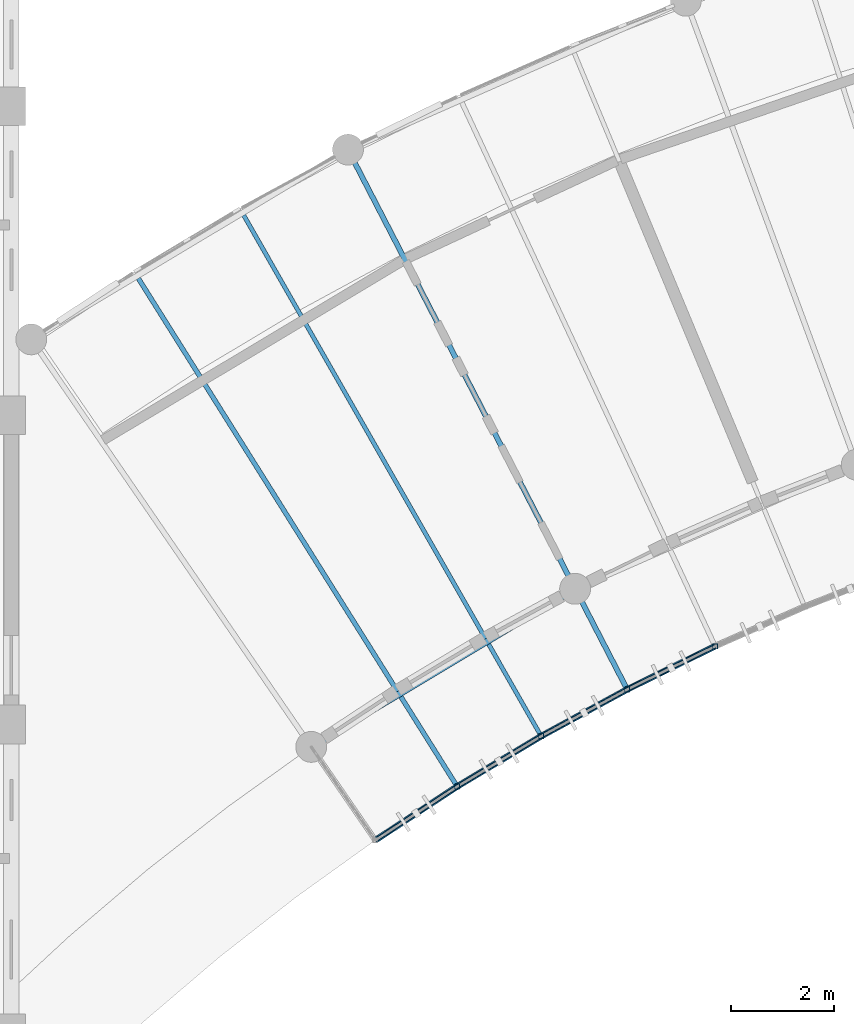
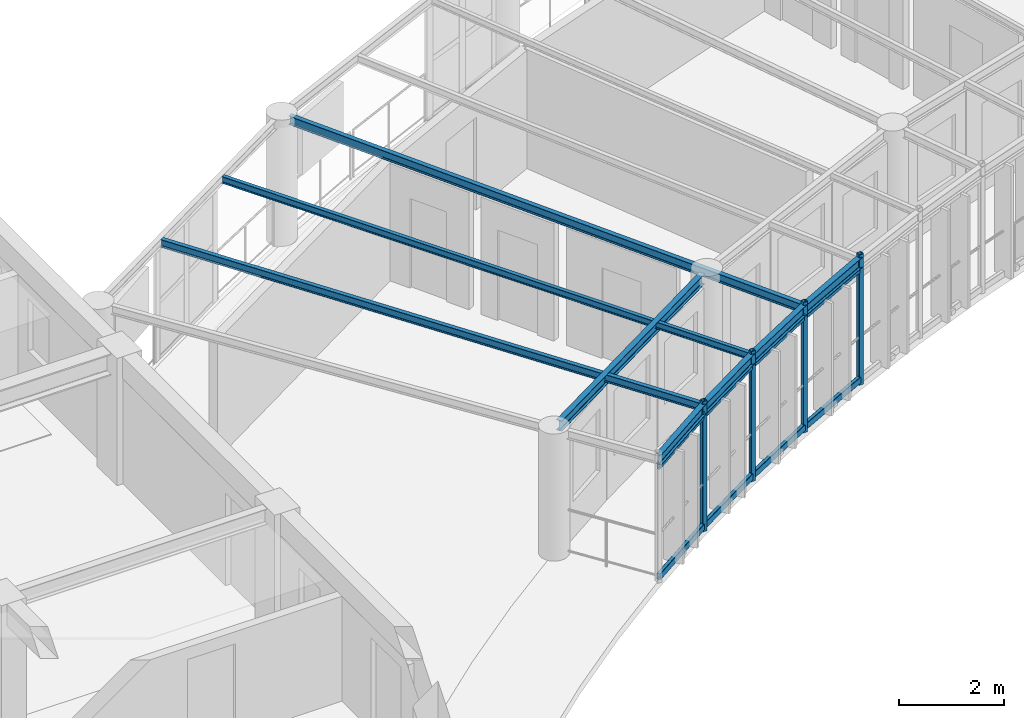
# One storey, part 27 of 100: 12 members, 8 beams.
"""IFC4 building model written with IfcOpenShell, lengths in metres."""

from ifc_helpers import new_model, si_unit, direction, frame, origin, origin_2d, place, context, subcontext, project, spatial, hollow_rectangle, i_section, extrude, material, material_profile, profile_set, type_object, element, save


model = new_model("IFC4")

# Units and contexts
model_context = context("Model", 3, precision=1e-05, world=origin(), true_north=direction((0.0, 1.0)))
body_context = subcontext(model_context, "Body", "Model", "MODEL_VIEW")
ifc_project = project(units=[si_unit("LENGTHUNIT", "METRE"), si_unit("AREAUNIT", "SQUARE_METRE"), si_unit("VOLUMEUNIT", "CUBIC_METRE"), si_unit("PLANEANGLEUNIT", "RADIAN"), si_unit("MASSUNIT", "GRAM", prefix="KILO"), si_unit("POWERUNIT", "WATT"), si_unit("THERMODYNAMICTEMPERATUREUNIT", "KELVIN")], contexts=[model_context])

# Site, building, storey
site_placement = place(None, origin())
site = spatial("IfcSite", under=ifc_project, at=site_placement, CompositionType="ELEMENT")
building_placement = place(site_placement, origin())
building = spatial("IfcBuilding", under=site, at=building_placement, Name="Ruvembo Vaulted Housing Court", CompositionType="ELEMENT")
storey_placement = place(building_placement, frame((0.0, 0.0, 14.10009765625)))
storey = spatial("IfcBuildingStorey", under=building, at=storey_placement, Name="L04", CompositionType="ELEMENT", Elevation=14.10009765625)

# Beams
ifc_material = material(Name="Steel S355J2", Category="steel")
ifc_material_profile_1 = material_profile(ifc_material, i_section(OverallWidth=0.08203125, OverallDepth=0.159912109375, WebThickness=0.0048828125, FlangeThickness=0.00732421875, FilletRadius=0.009033203125, at=origin_2d()), Name="IPE 160")
ifc_profile_set_1 = profile_set([ifc_material_profile_1], Name="Steel S355J2")
beam_type_1 = type_object("IfcBeamType", Name="BM-ST-IPE160", PredefinedType="JOIST", material=ifc_profile_set_1)
beam_1_placement = place(storey_placement, frame((88.509521484375, 99.888916015625, 2.85986328125), z_axis=(0.495907280655, -0.868375476965, 0.0), x_axis=(0.868375476965, 0.495907280655, 0.0)))
element("IfcBeam", 1, at=beam_1_placement, inside=storey, type_object=beam_type_1, Name="Scoop SC3 L04 Radial Steel Joist 2", PredefinedType="JOIST", context=body_context, shape_type="SweptSolid", body=[
    extrude(i_section(OverallWidth=0.08203125, OverallDepth=0.159912109375, WebThickness=0.0048828125, FlangeThickness=0.00732421875, FilletRadius=0.009033203125, at=origin_2d()), origin(), (0.0, 0.0, 1.0), 11.69091796875),
])
ifc_material_profile_2 = material_profile(ifc_material, i_section(OverallWidth=0.091064453125, OverallDepth=0.179931640625, WebThickness=0.00537109375, FlangeThickness=0.008056640625, FilletRadius=0.009033203125, at=origin_2d()), Name="IPE 180")
ifc_profile_set_2 = profile_set([ifc_material_profile_2], Name="Steel S355J2")
beam_type_2 = type_object("IfcBeamType", Name="BM-ST-IPE180", PredefinedType="JOIST", material=ifc_profile_set_2)
beam_2_placement = place(storey_placement, frame((86.4638671875, 98.66357421875, 2.849853515625), z_axis=(0.531511049351, -0.847051358784, 0.0), x_axis=(0.847051358784, 0.531511049351, 0.0)))
element("IfcBeam", 2, at=beam_2_placement, inside=storey, type_object=beam_type_2, Name="Scoop SC3 L04 Radial Steel Joist 1", PredefinedType="JOIST", context=body_context, shape_type="SweptSolid", body=[
    extrude(i_section(OverallWidth=0.091064453125, OverallDepth=0.179931640625, WebThickness=0.00537109375, FlangeThickness=0.008056640625, FilletRadius=0.009033203125, at=origin_2d()), origin(), (0.0, 0.0, 1.0), 11.69091796875),
])
ifc_material_profile_3 = material_profile(ifc_material, i_section(OverallWidth=0.10009765625, OverallDepth=0.199951171875, WebThickness=0.005615234375, FlangeThickness=0.008544921875, FilletRadius=0.011962890625, at=origin_2d()), Name="IPE 200")
ifc_profile_set_3 = profile_set([ifc_material_profile_3], Name="Steel S355J2")
beam_type_3 = type_object("IfcBeamType", Name="BM-ST-IPE200", PredefinedType="BEAM", material=ifc_profile_set_3)
beam_3_placement = place(storey_placement, frame((90.623291015625, 100.991943359375, 2.83984375), z_axis=(0.459443442446, -0.888207027214, 0.0), x_axis=(0.888207027214, 0.459443442446, 0.0)))
element("IfcBeam", 3, at=beam_3_placement, inside=storey, type_object=beam_type_3, Name="Scoop SC3 L04 Radial Steel Joist 3", PredefinedType="BEAM", context=body_context, shape_type="SweptSolid", body=[
    extrude(i_section(OverallWidth=0.10009765625, OverallDepth=0.199951171875, WebThickness=0.005615234375, FlangeThickness=0.008544921875, FilletRadius=0.011962890625, at=origin_2d()), origin(), (0.0, 0.0, 1.0), 11.650146484375),
])
ifc_material_profile_4 = material_profile(ifc_material, i_section(OverallWidth=0.1201171875, OverallDepth=0.239990234375, WebThickness=0.006103515625, FlangeThickness=0.009765625, FilletRadius=0.014892578125, at=origin_2d()), Name="IPE 240")
ifc_profile_set_4 = profile_set([ifc_material_profile_4], Name="Steel S355J2")
beam_type_4 = type_object("IfcBeamType", Name="BM-ST-IPE240", PredefinedType="BEAM", material=ifc_profile_set_4)
beam_4_placement = place(storey_placement, frame((89.98486328125, 89.662109375, 2.822021484375), z_axis=(0.857889328385, 0.513834506668, 0.0), x_axis=(-0.513834506668, 0.857889328385, 0.0)))
element("IfcBeam", 4, at=beam_4_placement, inside=storey, type_object=beam_type_4, Name="Scoop SC3 L04 Chord Girder F0", PredefinedType="BEAM", context=body_context, shape_type="SweptSolid", body=[
    extrude(i_section(OverallWidth=0.1201171875, OverallDepth=0.239990234375, WebThickness=0.006103515625, FlangeThickness=0.009765625, FilletRadius=0.014892578125, at=origin_2d()), origin(), (0.0, 0.0, 1.0), 5.59375),
])
for number, where, z_axis, x_axis, name in (
    (5, (91.0673828125, 87.751220703125, 2.81982421875), (0.835902452778, 0.548878027834, 0.0), (-0.548878027834, 0.835902452778, 0.0), "Scoop SC3 L04 Balcony Edge Spandrel 0"),
    (6, (92.656494140625, 88.794677734375, 2.81982421875), (0.857889282303, 0.513834583607, 0.0), (-0.513834583607, 0.857889282303, 0.0), "Scoop SC3 L04 Balcony Edge Spandrel 1"),
    (7, (94.287353515625, 89.771484375, 2.81982421875), (0.878513214386, 0.477718046706, 0.0), (-0.477718046706, 0.878513214386, 0.0), "Scoop SC3 L04 Balcony Edge Spandrel 2"),
    (8, (95.95751953125, 90.6796875, 2.81982421875), (0.897513310314, 0.44098736695, 0.0), (-0.44098736695, 0.897513310314, 0.0), "Scoop SC3 L04 Balcony Edge Spandrel 3"),
):
    element("IfcBeam", number, at=place(storey_placement, frame(where, z_axis=z_axis, x_axis=x_axis)), inside=storey, type_object=beam_type_4, Name=name, PredefinedType="BEAM", context=body_context, shape_type="SweptSolid", body=[
        extrude(i_section(OverallWidth=0.1201171875, OverallDepth=0.239990234375, WebThickness=0.006103515625, FlangeThickness=0.009765625, FilletRadius=0.014892578125, at=origin_2d()), origin(), (0.0, 0.0, 1.0), 1.901123046875),
    ])

# Members
ifc_material_profile_5 = material_profile(ifc_material, hollow_rectangle(XDim=0.06005859375, YDim=0.1201171875, WallThickness=0.0048828125, InnerFilletRadius=0.0048828125, OuterFilletRadius=0.010009765625, at=origin_2d()), Name="RHS 120x60x5")
ifc_profile_set_5 = profile_set([ifc_material_profile_5], Name="Steel S355J2")
member_type_1 = type_object("IfcMemberType", Name="MEM-CAR-RHS120", PredefinedType="CHORD", material=ifc_profile_set_5)
for number, where, z_axis, x_axis, name in (
    (9, (91.0673828125, 87.751220703125, 2.642822265625), (0.835902452778, 0.548878027834, 0.0), (-0.548878027834, 0.835902452778, 0.0), "Scoop SC3 L04 Upper Louvre Carrier Rail 0"),
    (10, (92.656494140625, 88.794677734375, 2.642822265625), (0.857889282303, 0.513834583607, 0.0), (-0.513834583607, 0.857889282303, 0.0), "Scoop SC3 L04 Upper Louvre Carrier Rail 1"),
    (11, (94.287353515625, 89.771484375, 2.642822265625), (0.878513214386, 0.477718046706, 0.0), (-0.477718046706, 0.878513214386, 0.0), "Scoop SC3 L04 Upper Louvre Carrier Rail 2"),
    (12, (95.95751953125, 90.6796875, 2.642822265625), (0.897513310314, 0.44098736695, 0.0), (-0.44098736695, 0.897513310314, 0.0), "Scoop SC3 L04 Upper Louvre Carrier Rail 3"),
):
    element("IfcMember", number, at=place(storey_placement, frame(where, z_axis=z_axis, x_axis=x_axis)), inside=storey, type_object=member_type_1, Name=name, PredefinedType="CHORD", context=body_context, shape_type="SweptSolid", body=[
        extrude(hollow_rectangle(XDim=0.06005859375, YDim=0.1201171875, WallThickness=0.0048828125, InnerFilletRadius=0.0048828125, OuterFilletRadius=0.010009765625, at=origin_2d()), origin(), (0.0, 0.0, 1.0), 1.901123046875),
    ])
ifc_material_profile_6 = material_profile(ifc_material, hollow_rectangle(XDim=0.080078125, YDim=0.14990234375, WallThickness=0.00634765625, InnerFilletRadius=0.00634765625, OuterFilletRadius=0.0126953125, at=origin_2d()), Name="RHS 150x80x6.3")
ifc_profile_set_6 = profile_set([ifc_material_profile_6], Name="Steel S355J2")
member_type_2 = type_object("IfcMemberType", Name="MEM-CAR-RHS150", PredefinedType="CHORD", material=ifc_profile_set_6)
for number, where, z_axis, x_axis, name in (
    (13, (91.0673828125, 87.751220703125, 0.094970703125), (0.835902452778, 0.548878027834, 0.0), (-0.548878027834, 0.835902452778, 0.0), "Scoop SC3 L04 Lower Louvre Carrier Rail 0"),
    (14, (92.656494140625, 88.794677734375, 0.094970703125), (0.857889282303, 0.513834583607, 0.0), (-0.513834583607, 0.857889282303, 0.0), "Scoop SC3 L04 Lower Louvre Carrier Rail 1"),
    (15, (94.287353515625, 89.771484375, 0.094970703125), (0.878513214386, 0.477718046706, 0.0), (-0.477718046706, 0.878513214386, 0.0), "Scoop SC3 L04 Lower Louvre Carrier Rail 2"),
    (16, (95.95751953125, 90.6796875, 0.094970703125), (0.897513310314, 0.44098736695, 0.0), (-0.44098736695, 0.897513310314, 0.0), "Scoop SC3 L04 Lower Louvre Carrier Rail 3"),
):
    element("IfcMember", number, at=place(storey_placement, frame(where, z_axis=z_axis, x_axis=x_axis)), inside=storey, type_object=member_type_2, Name=name, PredefinedType="CHORD", context=body_context, shape_type="SweptSolid", body=[
        extrude(hollow_rectangle(XDim=0.080078125, YDim=0.14990234375, WallThickness=0.00634765625, InnerFilletRadius=0.00634765625, OuterFilletRadius=0.0126953125, at=origin_2d()), origin(), (0.0, 0.0, 1.0), 1.901123046875),
    ])
ifc_material_profile_7 = material_profile(ifc_material, hollow_rectangle(XDim=0.10009765625, YDim=0.10009765625, WallThickness=0.00634765625, InnerFilletRadius=0.00634765625, OuterFilletRadius=0.0126953125, at=origin_2d()), Name="SHS 100x100x6.3")
ifc_profile_set_7 = profile_set([ifc_material_profile_7], Name="Steel S355J2")
member_type_3 = type_object("IfcMemberType", Name="MEM-FRM-SHS100", PredefinedType="STRUT", material=ifc_profile_set_7)
for number, where, z_axis, x_axis, name in (
    (17, (92.656494140625, 88.794677734375, -0.01513671875), (0.0, 0.0, 1.0), (1.0, 0.0, 0.0), "Scoop SC3 L04 Louvre Frame Post 1"),
    (18, (94.287353515625, 89.771484375, -0.01513671875), (0.0, 0.0, 1.0), (1.0, 0.0, 0.0), "Scoop SC3 L04 Louvre Frame Post 2"),
    (19, (95.95751953125, 90.6796875, -0.01513671875), (0.0, 0.0, 1.0), (1.0, 0.0, 0.0), "Scoop SC3 L04 Louvre Frame Post 3"),
    (20, (97.663818359375, 91.51806640625, -0.01513671875), (0.0, 0.0, 1.0), (1.0, 0.0, 0.0), "Scoop SC3 L04 Louvre Frame Post 4"),
):
    element("IfcMember", number, at=place(storey_placement, frame(where, z_axis=z_axis, x_axis=x_axis)), inside=storey, type_object=member_type_3, Name=name, PredefinedType="STRUT", context=body_context, shape_type="SweptSolid", body=[
        extrude(hollow_rectangle(XDim=0.10009765625, YDim=0.10009765625, WallThickness=0.00634765625, InnerFilletRadius=0.00634765625, OuterFilletRadius=0.0126953125, at=origin_2d()), origin(), (0.0, 0.0, 1.0), 3.02294921875),
    ])

save(model, "model.ifc")
